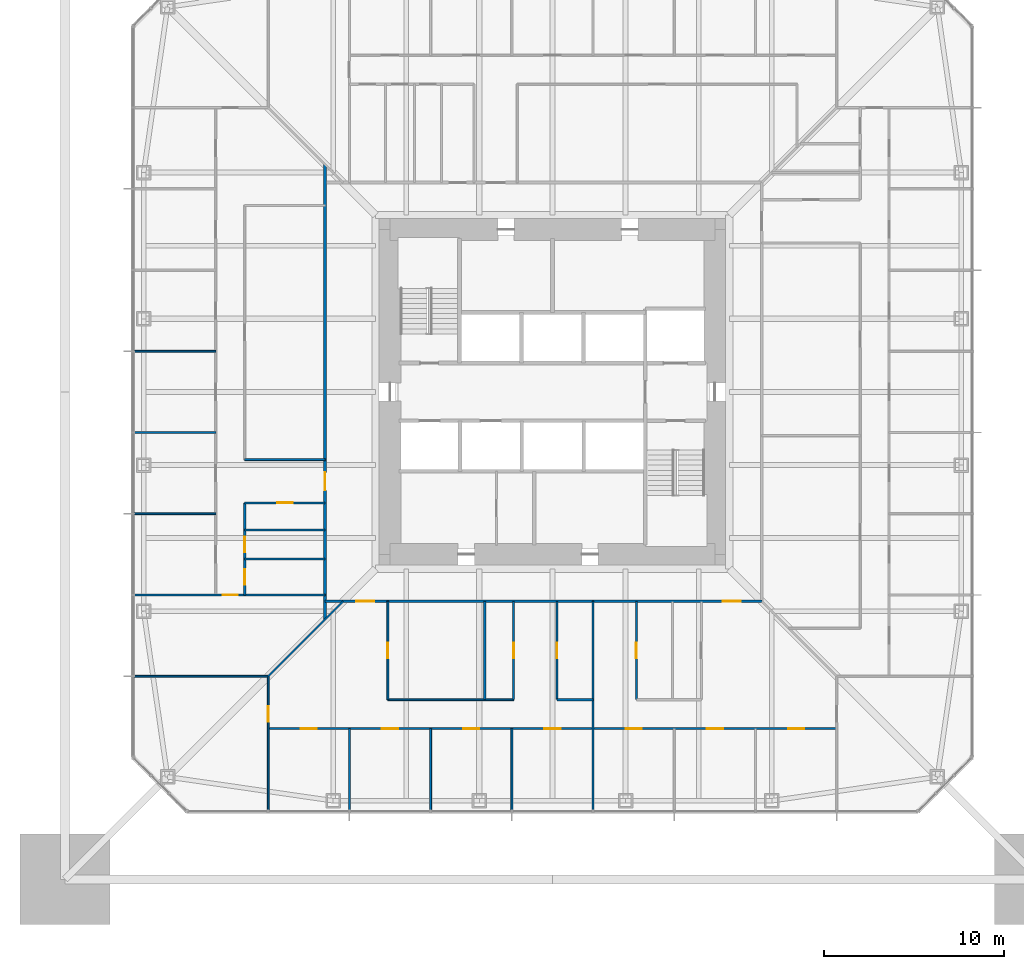
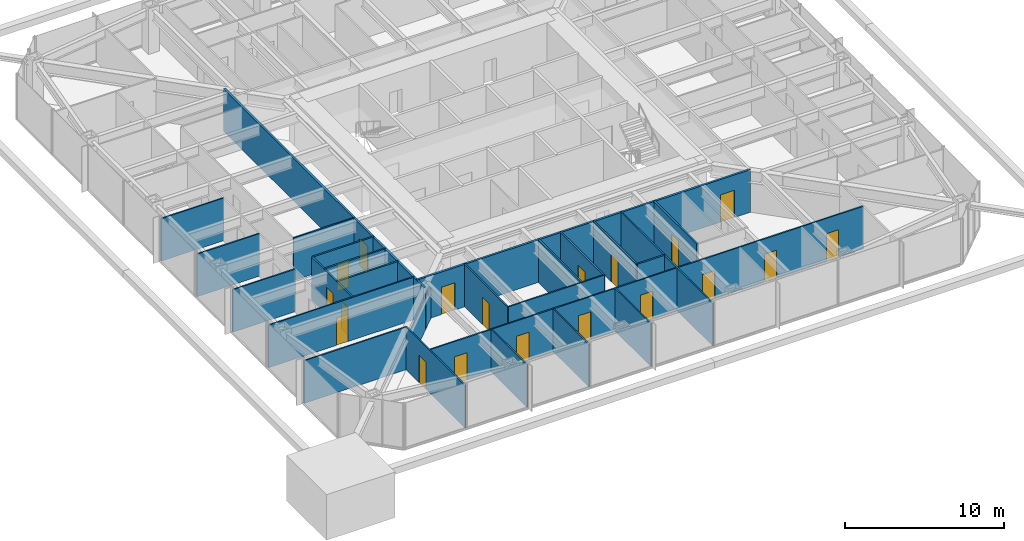
# One storey, part 15 of 27: 26 walls, 19 doors, 19 openings.
"""IFC4 building model written with IfcOpenShell, lengths in metres."""

from ifc_helpers import new_model, si_unit, direction, frame, frame_2d, origin, place, context, subcontext, project, spatial, rectangle, extrude, material, layer, layer_set, type_object, element, fill, save


model = new_model("IFC4")

# Units and contexts
model_context = context("Model", 3, precision=1e-05, world=origin(), true_north=direction((0.0, 1.0)))
body_context = subcontext(model_context, "Body", "Model", "MODEL_VIEW")
ifc_project = project(units=[si_unit("LENGTHUNIT", "METRE"), si_unit("AREAUNIT", "SQUARE_METRE"), si_unit("VOLUMEUNIT", "CUBIC_METRE"), si_unit("PLANEANGLEUNIT", "RADIAN"), si_unit("MASSUNIT", "GRAM", prefix="KILO")], contexts=[model_context])

# Site, building, storey
site_placement = place(None, origin())
site = spatial("IfcSite", under=ifc_project, at=site_placement, CompositionType="ELEMENT")
building_placement = place(site_placement, origin())
building = spatial("IfcBuilding", under=site, at=building_placement, Name="Iwan Alto Co-Living Towers", CompositionType="ELEMENT")
storey_placement = place(building_placement, frame((0.0, 0.0, 53.5)))
storey = spatial("IfcBuildingStorey", under=building, at=storey_placement, Name="L14", CompositionType="ELEMENT", Elevation=53.5)

# Wall, openings, doors
ifc_material_1 = material(Name="Gypsum board")
ifc_layer_1 = layer(ifc_material_1, 0.02490234375, Name="Board", Category="Finish")
ifc_material_2 = material(Name="Steel ASTM A1003 ST33H cold-formed studs", Category="steel")
ifc_layer_2 = layer(ifc_material_2, 0.10009765625, Name="Studs", Category="Framing")
ifc_layer_3 = layer(ifc_material_1, 0.02490234375, Name="Board", Category="Finish")
ifc_layer_set_1 = layer_set([ifc_layer_1, ifc_layer_2, ifc_layer_3], Name="CORRIDOR WALL 150")
wall_type_1 = type_object("IfcWallType", Name="CORRIDOR WALL 150", PredefinedType="PARTITIONING", material=ifc_layer_set_1)
wall_1_placement = place(storey_placement, frame((-12.60009765625, -11.60009765625, 0.0), z_axis=(0.0, 0.0, 1.0), x_axis=(1.0, 0.0, 0.0)))
wall_1 = element("IfcWall", 1, at=wall_1_placement, inside=storey, type_object=wall_type_1, Name="Partition L14", PredefinedType="PARTITIONING", context=body_context, shape_type="SweptSolid", body=[
    extrude(rectangle(XDim=24.2001953125, YDim=0.14990234375, at=frame_2d((12.10009765625, 0.0))), origin(), (0.0, 0.0, 1.0), 3.27001953125),
])
opening_1_placement = place(wall_1_placement, frame((1.739990234375, 0.0, 0.0)))
opening_1 = element("IfcOpeningElement", 2, at=opening_1_placement, cuts=wall_1, Name="Opening D3", PredefinedType="OPENING", context=body_context, shape_type="SweptSolid", body=[
    extrude(rectangle(XDim=1.0, YDim=2.10009765625, at=frame_2d((0.5, 1.050048828125))), frame((0.0, 0.0849609375, 0.0), z_axis=(0.0, -1.0, 0.0), x_axis=(1.0, 0.0, 0.0)), (0.0, 0.0, 1.0), 0.169921875),
])
opening_2_placement = place(wall_1_placement, frame((22.02490234375, 0.0, 0.0)))
opening_2 = element("IfcOpeningElement", 3, at=opening_2_placement, cuts=wall_1, Name="Opening D3", PredefinedType="OPENING", context=body_context, shape_type="SweptSolid", body=[
    extrude(rectangle(XDim=1.0, YDim=2.10009765625, at=frame_2d((0.5, 1.050048828125))), frame((0.0, 0.0849609375, 0.0), z_axis=(0.0, -1.0, 0.0), x_axis=(1.0, 0.0, 0.0)), (0.0, 0.0, 1.0), 0.169921875),
])
ifc_material_3 = material(Name="Steel frame with timber leaf", Category="steel")
door_type_1 = type_object("IfcDoorType", Name="FLAT ENTRANCE DOOR FD30S 1000X2100", OperationType="SINGLE_SWING_LEFT", PredefinedType="DOOR", material=ifc_material_3)
door_1_placement = place(opening_1_placement, frame((1.0, 0.0, 0.0), z_axis=(0.0, 0.0, 1.0), x_axis=(-1.0, 0.0, 0.0)))
door_1 = element("IfcDoor", 4, at=door_1_placement, inside=storey, type_object=door_type_1, Name="Cluster lounge door L14", OperationType="SINGLE_SWING_LEFT", OverallHeight=2.10009765625, OverallWidth=1.0, PredefinedType="DOOR", context=body_context, shape_type="SweptSolid", body=[
    extrude(rectangle(XDim=1.0, YDim=2.10009765625, at=frame_2d((0.5, 1.050048828125))), frame((0.0, 0.02490234375, 0.0), z_axis=(0.0, -1.0, 0.0), x_axis=(1.0, 0.0, 0.0)), (0.0, 0.0, 1.0), 0.050048828125),
])
fill(opening_1, door_1)
door_2_placement = place(opening_2_placement, frame((1.0, 0.0, 0.0), z_axis=(0.0, 0.0, 1.0), x_axis=(-1.0, 0.0, 0.0)))
door_2 = element("IfcDoor", 5, at=door_2_placement, inside=storey, type_object=door_type_1, Name="Cluster lounge door L14", OperationType="SINGLE_SWING_RIGHT", OverallHeight=2.10009765625, OverallWidth=1.0, PredefinedType="DOOR", context=body_context, shape_type="SweptSolid", body=[
    extrude(rectangle(XDim=1.0, YDim=2.10009765625, at=frame_2d((0.5, 1.050048828125))), frame((0.0, 0.02490234375, 0.0), z_axis=(0.0, -1.0, 0.0), x_axis=(1.0, 0.0, 0.0)), (0.0, 0.0, 1.0), 0.050048828125),
])
fill(opening_2, door_2)

# Wall, opening, door
wall_2_placement = place(storey_placement, frame((-12.60009765625, -12.60009765625, 0.0), z_axis=(0.0, 0.0, 1.0), x_axis=(0.0, 1.0, 0.0)))
wall_2 = element("IfcWall", 6, at=wall_2_placement, inside=storey, type_object=wall_type_1, Name="Partition L14", PredefinedType="PARTITIONING", context=body_context, shape_type="SweptSolid", body=[
    extrude(rectangle(XDim=25.2001953125, YDim=0.14990234375, at=frame_2d((12.60009765625, 0.0))), origin(), (0.0, 0.0, 1.0), 3.27001953125),
])
opening_3_placement = place(wall_2_placement, frame((7.14990234375, 0.0, 0.0)))
opening_3 = element("IfcOpeningElement", 7, at=opening_3_placement, cuts=wall_2, Name="Opening D3", PredefinedType="OPENING", context=body_context, shape_type="SweptSolid", body=[
    extrude(rectangle(XDim=1.0, YDim=2.10009765625, at=frame_2d((0.5, 1.050048828125))), frame((0.0, 0.0849609375, 0.0), z_axis=(0.0, -1.0, 0.0), x_axis=(1.0, 0.0, 0.0)), (0.0, 0.0, 1.0), 0.169921875),
])
door_3_placement = place(opening_3_placement, origin())
door_3 = element("IfcDoor", 8, at=door_3_placement, inside=storey, type_object=door_type_1, Name="Cluster lounge and shared kitchen door L14", OperationType="SINGLE_SWING_LEFT", OverallHeight=2.10009765625, OverallWidth=1.0, PredefinedType="DOOR", context=body_context, shape_type="SweptSolid", body=[
    extrude(rectangle(XDim=1.0, YDim=2.10009765625, at=frame_2d((0.5, 1.050048828125))), frame((0.0, 0.02490234375, 0.0), z_axis=(0.0, -1.0, 0.0), x_axis=(1.0, 0.0, 0.0)), (0.0, 0.0, 1.0), 0.050048828125),
])
fill(opening_3, door_3)

# Wall, openings, doors
ifc_layer_4 = layer(ifc_material_1, 0.012451171875, Name="Board", Category="Finish")
ifc_layer_5 = layer(ifc_material_2, 0.074951171875, Name="Studs", Category="Framing")
ifc_layer_6 = layer(ifc_material_1, 0.012451171875, Name="Board", Category="Finish")
ifc_layer_set_2 = layer_set([ifc_layer_4, ifc_layer_5, ifc_layer_6], Name="PARTITION 100")
wall_type_2 = type_object("IfcWallType", Name="PARTITION 100", PredefinedType="PARTITIONING", material=ifc_layer_set_2)
wall_3_placement = place(storey_placement, frame((-15.75, -18.64990234375, 0.0), z_axis=(0.0, 0.0, 1.0), x_axis=(1.0, 0.0, 0.0)))
wall_3 = element("IfcWall", 9, at=wall_3_placement, inside=storey, type_object=wall_type_2, Name="Partition L14", PredefinedType="PARTITIONING", context=body_context, shape_type="SweptSolid", body=[
    extrude(rectangle(XDim=31.5, YDim=0.10009765625, at=frame_2d((15.75, 0.0))), origin(), (0.0, 0.0, 1.0), 3.27001953125),
])
opening_4_placement = place(wall_3_placement, frame((1.800048828125, 0.0, 0.0)))
opening_4 = element("IfcOpeningElement", 10, at=opening_4_placement, cuts=wall_3, Name="Opening D1", PredefinedType="OPENING", context=body_context, shape_type="SweptSolid", body=[
    extrude(rectangle(XDim=0.89990234375, YDim=2.10009765625, at=frame_2d((0.449951171875, 1.050048828125))), frame((0.0, 0.06005859375, 0.0), z_axis=(0.0, -1.0, 0.0), x_axis=(1.0, 0.0, 0.0)), (0.0, 0.0, 1.0), 0.1201171875),
])
opening_5_placement = place(wall_3_placement, frame((6.300048828125, 0.0, 0.0)))
opening_5 = element("IfcOpeningElement", 11, at=opening_5_placement, cuts=wall_3, Name="Opening D1", PredefinedType="OPENING", context=body_context, shape_type="SweptSolid", body=[
    extrude(rectangle(XDim=0.89990234375, YDim=2.10009765625, at=frame_2d((0.449951171875, 1.050048828125))), frame((0.0, 0.06005859375, 0.0), z_axis=(0.0, -1.0, 0.0), x_axis=(1.0, 0.0, 0.0)), (0.0, 0.0, 1.0), 0.1201171875),
])
opening_6_placement = place(wall_3_placement, frame((10.800048828125, 0.0, 0.0)))
opening_6 = element("IfcOpeningElement", 12, at=opening_6_placement, cuts=wall_3, Name="Opening D1", PredefinedType="OPENING", context=body_context, shape_type="SweptSolid", body=[
    extrude(rectangle(XDim=0.89990234375, YDim=2.10009765625, at=frame_2d((0.449951171875, 1.050048828125))), frame((0.0, 0.06005859375, 0.0), z_axis=(0.0, -1.0, 0.0), x_axis=(1.0, 0.0, 0.0)), (0.0, 0.0, 1.0), 0.1201171875),
])
opening_7_placement = place(wall_3_placement, frame((15.300048828125, 0.0, 0.0)))
opening_7 = element("IfcOpeningElement", 13, at=opening_7_placement, cuts=wall_3, Name="Opening D1", PredefinedType="OPENING", context=body_context, shape_type="SweptSolid", body=[
    extrude(rectangle(XDim=0.89990234375, YDim=2.10009765625, at=frame_2d((0.449951171875, 1.050048828125))), frame((0.0, 0.06005859375, 0.0), z_axis=(0.0, -1.0, 0.0), x_axis=(1.0, 0.0, 0.0)), (0.0, 0.0, 1.0), 0.1201171875),
])
opening_8_placement = place(wall_3_placement, frame((19.800048828125, 0.0, 0.0)))
opening_8 = element("IfcOpeningElement", 14, at=opening_8_placement, cuts=wall_3, Name="Opening D1", PredefinedType="OPENING", context=body_context, shape_type="SweptSolid", body=[
    extrude(rectangle(XDim=0.89990234375, YDim=2.10009765625, at=frame_2d((0.449951171875, 1.050048828125))), frame((0.0, 0.06005859375, 0.0), z_axis=(0.0, -1.0, 0.0), x_axis=(1.0, 0.0, 0.0)), (0.0, 0.0, 1.0), 0.1201171875),
])
opening_9_placement = place(wall_3_placement, frame((24.300048828125, 0.0, 0.0)))
opening_9 = element("IfcOpeningElement", 15, at=opening_9_placement, cuts=wall_3, Name="Opening D1", PredefinedType="OPENING", context=body_context, shape_type="SweptSolid", body=[
    extrude(rectangle(XDim=0.89990234375, YDim=2.10009765625, at=frame_2d((0.449951171875, 1.050048828125))), frame((0.0, 0.06005859375, 0.0), z_axis=(0.0, -1.0, 0.0), x_axis=(1.0, 0.0, 0.0)), (0.0, 0.0, 1.0), 0.1201171875),
])
opening_10_placement = place(wall_3_placement, frame((28.800048828125, 0.0, 0.0)))
opening_10 = element("IfcOpeningElement", 16, at=opening_10_placement, cuts=wall_3, Name="Opening D1", PredefinedType="OPENING", context=body_context, shape_type="SweptSolid", body=[
    extrude(rectangle(XDim=0.89990234375, YDim=2.10009765625, at=frame_2d((0.449951171875, 1.050048828125))), frame((0.0, 0.06005859375, 0.0), z_axis=(0.0, -1.0, 0.0), x_axis=(1.0, 0.0, 0.0)), (0.0, 0.0, 1.0), 0.1201171875),
])
ifc_material_4 = material(Name="Timber leaf in steel frame", Category="steel")
door_type_2 = type_object("IfcDoorType", Name="BEDROOM DOOR 900X2100", OperationType="SINGLE_SWING_LEFT", PredefinedType="DOOR", material=ifc_material_4)
door_4_placement = place(opening_4_placement, origin())
door_4 = element("IfcDoor", 17, at=door_4_placement, inside=storey, type_object=door_type_2, Name="Study bedroom door L14", OperationType="SINGLE_SWING_LEFT", OverallHeight=2.10009765625, OverallWidth=0.89990234375, PredefinedType="DOOR", context=body_context, shape_type="SweptSolid", body=[
    extrude(rectangle(XDim=0.89990234375, YDim=2.10009765625, at=frame_2d((0.449951171875, 1.050048828125))), frame((0.0, 0.02490234375, 0.0), z_axis=(0.0, -1.0, 0.0), x_axis=(1.0, 0.0, 0.0)), (0.0, 0.0, 1.0), 0.050048828125),
])
fill(opening_4, door_4)
door_5_placement = place(opening_5_placement, origin())
door_5 = element("IfcDoor", 18, at=door_5_placement, inside=storey, type_object=door_type_2, Name="Study bedroom door L14", OperationType="SINGLE_SWING_LEFT", OverallHeight=2.10009765625, OverallWidth=0.89990234375, PredefinedType="DOOR", context=body_context, shape_type="SweptSolid", body=[
    extrude(rectangle(XDim=0.89990234375, YDim=2.10009765625, at=frame_2d((0.449951171875, 1.050048828125))), frame((0.0, 0.02490234375, 0.0), z_axis=(0.0, -1.0, 0.0), x_axis=(1.0, 0.0, 0.0)), (0.0, 0.0, 1.0), 0.050048828125),
])
fill(opening_5, door_5)
door_6_placement = place(opening_6_placement, origin())
door_6 = element("IfcDoor", 19, at=door_6_placement, inside=storey, type_object=door_type_2, Name="Study bedroom door L14", OperationType="SINGLE_SWING_RIGHT", OverallHeight=2.10009765625, OverallWidth=0.89990234375, PredefinedType="DOOR", context=body_context, shape_type="SweptSolid", body=[
    extrude(rectangle(XDim=0.89990234375, YDim=2.10009765625, at=frame_2d((0.449951171875, 1.050048828125))), frame((0.0, 0.02490234375, 0.0), z_axis=(0.0, -1.0, 0.0), x_axis=(1.0, 0.0, 0.0)), (0.0, 0.0, 1.0), 0.050048828125),
])
fill(opening_6, door_6)
door_7_placement = place(opening_7_placement, origin())
door_7 = element("IfcDoor", 20, at=door_7_placement, inside=storey, type_object=door_type_2, Name="Study bedroom door L14", OperationType="SINGLE_SWING_RIGHT", OverallHeight=2.10009765625, OverallWidth=0.89990234375, PredefinedType="DOOR", context=body_context, shape_type="SweptSolid", body=[
    extrude(rectangle(XDim=0.89990234375, YDim=2.10009765625, at=frame_2d((0.449951171875, 1.050048828125))), frame((0.0, 0.02490234375, 0.0), z_axis=(0.0, -1.0, 0.0), x_axis=(1.0, 0.0, 0.0)), (0.0, 0.0, 1.0), 0.050048828125),
])
fill(opening_7, door_7)
door_8_placement = place(opening_8_placement, origin())
door_8 = element("IfcDoor", 21, at=door_8_placement, inside=storey, type_object=door_type_2, Name="Study bedroom door L14", OperationType="SINGLE_SWING_LEFT", OverallHeight=2.10009765625, OverallWidth=0.89990234375, PredefinedType="DOOR", context=body_context, shape_type="SweptSolid", body=[
    extrude(rectangle(XDim=0.89990234375, YDim=2.10009765625, at=frame_2d((0.449951171875, 1.050048828125))), frame((0.0, 0.02490234375, 0.0), z_axis=(0.0, -1.0, 0.0), x_axis=(1.0, 0.0, 0.0)), (0.0, 0.0, 1.0), 0.050048828125),
])
fill(opening_8, door_8)
door_9_placement = place(opening_9_placement, origin())
door_9 = element("IfcDoor", 22, at=door_9_placement, inside=storey, type_object=door_type_2, Name="Study bedroom door L14", OperationType="SINGLE_SWING_LEFT", OverallHeight=2.10009765625, OverallWidth=0.89990234375, PredefinedType="DOOR", context=body_context, shape_type="SweptSolid", body=[
    extrude(rectangle(XDim=0.89990234375, YDim=2.10009765625, at=frame_2d((0.449951171875, 1.050048828125))), frame((0.0, 0.02490234375, 0.0), z_axis=(0.0, -1.0, 0.0), x_axis=(1.0, 0.0, 0.0)), (0.0, 0.0, 1.0), 0.050048828125),
])
fill(opening_9, door_9)
door_10_placement = place(opening_10_placement, origin())
door_10 = element("IfcDoor", 23, at=door_10_placement, inside=storey, type_object=door_type_2, Name="Study bedroom door L14", OperationType="SINGLE_SWING_RIGHT", OverallHeight=2.10009765625, OverallWidth=0.89990234375, PredefinedType="DOOR", context=body_context, shape_type="SweptSolid", body=[
    extrude(rectangle(XDim=0.89990234375, YDim=2.10009765625, at=frame_2d((0.449951171875, 1.050048828125))), frame((0.0, 0.02490234375, 0.0), z_axis=(0.0, -1.0, 0.0), x_axis=(1.0, 0.0, 0.0)), (0.0, 0.0, 1.0), 0.050048828125),
])
fill(opening_10, door_10)

# Walls
wall_4_placement = place(storey_placement, frame((-9.1201171875, -17.050048828125, 0.0), z_axis=(0.0, 0.0, 1.0), x_axis=(1.0, 0.0, 0.0)))
element("IfcWall", 24, at=wall_4_placement, inside=storey, type_object=wall_type_2, Name="Partition L14", PredefinedType="PARTITIONING", context=body_context, shape_type="SweptSolid", body=[
    extrude(rectangle(XDim=6.97021484375, YDim=0.10009765625, at=frame_2d((3.485107421875, 0.0))), origin(), (0.0, 0.0, 1.0), 3.27001953125),
])
wall_5_placement = place(storey_placement, frame((-23.18994140625, -15.75, 0.0), z_axis=(0.0, 0.0, 1.0), x_axis=(1.0, 0.0, 0.0)))
element("IfcWall", 25, at=wall_5_placement, inside=storey, type_object=wall_type_2, Name="Partition L14", PredefinedType="PARTITIONING", context=body_context, shape_type="SweptSolid", body=[
    extrude(rectangle(XDim=7.43994140625, YDim=0.10009765625, at=frame_2d((3.719970703125, 0.0))), origin(), (0.0, 0.0, 1.0), 3.27001953125),
])

# Wall, opening, door
wall_6_placement = place(storey_placement, frame((-23.18994140625, -11.25, 0.0), z_axis=(0.0, 0.0, 1.0), x_axis=(1.0, 0.0, 0.0)))
wall_6 = element("IfcWall", 26, at=wall_6_placement, inside=storey, type_object=wall_type_2, Name="Partition L14", PredefinedType="PARTITIONING", context=body_context, shape_type="SweptSolid", body=[
    extrude(rectangle(XDim=10.58984375, YDim=0.10009765625, at=frame_2d((5.294921875, 0.0))), origin(), (0.0, 0.0, 1.0), 3.27001953125),
])
opening_11_placement = place(wall_6_placement, frame((4.9150390625, 0.0, 0.0)))
opening_11 = element("IfcOpeningElement", 27, at=opening_11_placement, cuts=wall_6, Name="Opening D2", PredefinedType="OPENING", context=body_context, shape_type="SweptSolid", body=[
    extrude(rectangle(XDim=0.85009765625, YDim=2.10009765625, at=frame_2d((0.425048828125, 1.050048828125))), frame((0.0, 0.06005859375, 0.0), z_axis=(0.0, -1.0, 0.0), x_axis=(1.0, 0.0, 0.0)), (0.0, 0.0, 1.0), 0.1201171875),
])
ifc_material_5 = material(Name="Timber leaf in steel frame", Category="steel")
door_type_3 = type_object("IfcDoorType", Name="ROOM DOOR 850X2100", OperationType="SINGLE_SWING_LEFT", PredefinedType="DOOR", material=ifc_material_5)
door_11_placement = place(opening_11_placement, origin())
door_11 = element("IfcDoor", 28, at=door_11_placement, inside=storey, type_object=door_type_3, Name="Co-working room door L14", OperationType="SINGLE_SWING_LEFT", OverallHeight=2.10009765625, OverallWidth=0.85009765625, PredefinedType="DOOR", context=body_context, shape_type="SweptSolid", body=[
    extrude(rectangle(XDim=0.85009765625, YDim=2.10009765625, at=frame_2d((0.425048828125, 1.050048828125))), frame((0.0, 0.02490234375, 0.0), z_axis=(0.0, -1.0, 0.0), x_axis=(1.0, 0.0, 0.0)), (0.0, 0.0, 1.0), 0.050048828125),
])
fill(opening_11, door_11)

# Walls
wall_7_placement = place(storey_placement, frame((-23.18994140625, -6.75, 0.0), z_axis=(0.0, 0.0, 1.0), x_axis=(1.0, 0.0, 0.0)))
element("IfcWall", 29, at=wall_7_placement, inside=storey, type_object=wall_type_2, Name="Partition L14", PredefinedType="PARTITIONING", context=body_context, shape_type="SweptSolid", body=[
    extrude(rectangle(XDim=4.5400390625, YDim=0.10009765625, at=frame_2d((2.27001953125, 0.0))), origin(), (0.0, 0.0, 1.0), 3.27001953125),
])
wall_8_placement = place(storey_placement, frame((-17.050048828125, -3.75, 0.0), z_axis=(0.0, 0.0, 1.0), x_axis=(1.0, 0.0, 0.0)))
element("IfcWall", 30, at=wall_8_placement, inside=storey, type_object=wall_type_2, Name="Partition L14", PredefinedType="PARTITIONING", context=body_context, shape_type="SweptSolid", body=[
    extrude(rectangle(XDim=4.449951171875, YDim=0.10009765625, at=frame_2d((2.22509765625, 0.0))), origin(), (0.0, 0.0, 1.0), 3.27001953125),
])
for number, where, z_axis, x_axis, name in (
    (31, (-23.18994140625, -2.25, 0.0), (0.0, 0.0, 1.0), (1.0, 0.0, 0.0), "Partition L14"),
    (32, (-23.18994140625, 2.25, 0.0), (0.0, 0.0, 1.0), (1.0, 0.0, 0.0), "Partition L14"),
):
    element("IfcWall", number, at=place(storey_placement, frame(where, z_axis=z_axis, x_axis=x_axis)), inside=storey, type_object=wall_type_2, Name=name, PredefinedType="PARTITIONING", context=body_context, shape_type="SweptSolid", body=[
        extrude(rectangle(XDim=4.5400390625, YDim=0.10009765625, at=frame_2d((2.27001953125, 0.0))), origin(), (0.0, 0.0, 1.0), 3.27001953125),
    ])
wall_9_placement = place(storey_placement, frame((-15.75, -15.75, 0.0), z_axis=(0.0, 0.0, 1.0), x_axis=(0.707106781187, 0.707106781187, 0.0)))
element("IfcWall", 33, at=wall_9_placement, inside=storey, type_object=wall_type_2, Name="Partition L14", PredefinedType="PARTITIONING", context=body_context, shape_type="SweptSolid", body=[
    extrude(rectangle(XDim=5.868896484375, YDim=0.10009765625, at=frame_2d((2.9345703125, 0.0))), origin(), (0.0, 0.0, 1.0), 2.343017578125),
])
wall_10_placement = place(storey_placement, frame((2.25, -23.18994140625, 0.0), z_axis=(0.0, 0.0, 1.0), x_axis=(0.0, 1.0, 0.0)))
element("IfcWall", 34, at=wall_10_placement, inside=storey, type_object=wall_type_2, Name="Partition L14", PredefinedType="PARTITIONING", context=body_context, shape_type="SweptSolid", body=[
    extrude(rectangle(XDim=11.58984375, YDim=0.10009765625, at=frame_2d((5.794921875, 0.0))), origin(), (0.0, 0.0, 1.0), 3.27001953125),
])
for number, where, z_axis, x_axis, name in (
    (35, (-2.25, -23.18994140625, 0.0), (0.0, 0.0, 1.0), (0.0, 1.0, 0.0), "Partition L14"),
    (36, (-6.75, -23.18994140625, 0.0), (0.0, 0.0, 1.0), (0.0, 1.0, 0.0), "Partition L14"),
):
    element("IfcWall", number, at=place(storey_placement, frame(where, z_axis=z_axis, x_axis=x_axis)), inside=storey, type_object=wall_type_2, Name=name, PredefinedType="PARTITIONING", context=body_context, shape_type="SweptSolid", body=[
        extrude(rectangle(XDim=4.5400390625, YDim=0.10009765625, at=frame_2d((2.27001953125, 0.0))), origin(), (0.0, 0.0, 1.0), 3.27001953125),
    ])

# Wall, opening, door
wall_11_placement = place(storey_placement, frame((-9.1201171875, -17.050048828125, 0.0), z_axis=(0.0, 0.0, 1.0), x_axis=(0.0, 1.0, 0.0)))
wall_11 = element("IfcWall", 37, at=wall_11_placement, inside=storey, type_object=wall_type_2, Name="Partition L14", PredefinedType="PARTITIONING", context=body_context, shape_type="SweptSolid", body=[
    extrude(rectangle(XDim=5.449951171875, YDim=0.10009765625, at=frame_2d((2.72509765625, 0.0))), origin(), (0.0, 0.0, 1.0), 3.27001953125),
])
opening_12_placement = place(wall_11_placement, frame((2.300048828125, 0.0, 0.0)))
opening_12 = element("IfcOpeningElement", 38, at=opening_12_placement, cuts=wall_11, Name="Opening D2", PredefinedType="OPENING", context=body_context, shape_type="SweptSolid", body=[
    extrude(rectangle(XDim=0.85009765625, YDim=2.10009765625, at=frame_2d((0.425048828125, 1.050048828125))), frame((0.0, 0.06005859375, 0.0), z_axis=(0.0, -1.0, 0.0), x_axis=(1.0, 0.0, 0.0)), (0.0, 0.0, 1.0), 0.1201171875),
])
door_12_placement = place(opening_12_placement, origin())
door_12 = element("IfcDoor", 39, at=door_12_placement, inside=storey, type_object=door_type_3, Name="Study room door L14", OperationType="SINGLE_SWING_RIGHT", OverallHeight=2.10009765625, OverallWidth=0.85009765625, PredefinedType="DOOR", context=body_context, shape_type="SweptSolid", body=[
    extrude(rectangle(XDim=0.85009765625, YDim=2.10009765625, at=frame_2d((0.425048828125, 1.050048828125))), frame((0.0, 0.02490234375, 0.0), z_axis=(0.0, -1.0, 0.0), x_axis=(1.0, 0.0, 0.0)), (0.0, 0.0, 1.0), 0.050048828125),
])
fill(opening_12, door_12)

# Wall
wall_12_placement = place(storey_placement, frame((-11.25, -23.18994140625, 0.0), z_axis=(0.0, 0.0, 1.0), x_axis=(0.0, 1.0, 0.0)))
element("IfcWall", 40, at=wall_12_placement, inside=storey, type_object=wall_type_2, Name="Partition L14", PredefinedType="PARTITIONING", context=body_context, shape_type="SweptSolid", body=[
    extrude(rectangle(XDim=4.5400390625, YDim=0.10009765625, at=frame_2d((2.27001953125, 0.0))), origin(), (0.0, 0.0, 1.0), 3.27001953125),
])

# Wall, opening, door
wall_13_placement = place(storey_placement, frame((-15.75, -23.18994140625, 0.0), z_axis=(0.0, 0.0, 1.0), x_axis=(0.0, 1.0, 0.0)))
wall_13 = element("IfcWall", 41, at=wall_13_placement, inside=storey, type_object=wall_type_2, Name="Partition L14", PredefinedType="PARTITIONING", context=body_context, shape_type="SweptSolid", body=[
    extrude(rectangle(XDim=7.43994140625, YDim=0.10009765625, at=frame_2d((3.719970703125, 0.0))), origin(), (0.0, 0.0, 1.0), 3.27001953125),
])
opening_13_placement = place(wall_13_placement, frame((4.9150390625, 0.0, 0.0)))
opening_13 = element("IfcOpeningElement", 42, at=opening_13_placement, cuts=wall_13, Name="Opening D2", PredefinedType="OPENING", context=body_context, shape_type="SweptSolid", body=[
    extrude(rectangle(XDim=0.85009765625, YDim=2.10009765625, at=frame_2d((0.425048828125, 1.050048828125))), frame((0.0, 0.06005859375, 0.0), z_axis=(0.0, -1.0, 0.0), x_axis=(1.0, 0.0, 0.0)), (0.0, 0.0, 1.0), 0.1201171875),
])
door_13_placement = place(opening_13_placement, frame((0.85009765625, 0.0, 0.0), z_axis=(0.0, 0.0, 1.0), x_axis=(-1.0, 0.0, 0.0)))
door_13 = element("IfcDoor", 43, at=door_13_placement, inside=storey, type_object=door_type_3, Name="Shared kitchen and dining room door L14", OperationType="SINGLE_SWING_RIGHT", OverallHeight=2.10009765625, OverallWidth=0.85009765625, PredefinedType="DOOR", context=body_context, shape_type="SweptSolid", body=[
    extrude(rectangle(XDim=0.85009765625, YDim=2.10009765625, at=frame_2d((0.425048828125, 1.050048828125))), frame((0.0, 0.02490234375, 0.0), z_axis=(0.0, -1.0, 0.0), x_axis=(1.0, 0.0, 0.0)), (0.0, 0.0, 1.0), 0.050048828125),
])
fill(opening_13, door_13)

# Walls
ifc_material_6 = material(Name="Cement board")
ifc_layer_7 = layer(ifc_material_6, 0.012451171875, Name="Board", Category="Finish")
ifc_layer_8 = layer(ifc_material_2, 0.094970703125, Name="Studs", Category="Framing")
ifc_layer_9 = layer(ifc_material_6, 0.012451171875, Name="Board", Category="Finish")
ifc_layer_set_3 = layer_set([ifc_layer_7, ifc_layer_8, ifc_layer_9], Name="WET AREA PARTITION 120")
wall_type_3 = type_object("IfcWallType", Name="WET AREA PARTITION 120", PredefinedType="PARTITIONING", material=ifc_layer_set_3)
wall_14_placement = place(storey_placement, frame((0.25, -17.050048828125, 0.0), z_axis=(0.0, 0.0, 1.0), x_axis=(1.0, 0.0, 0.0)))
element("IfcWall", 44, at=wall_14_placement, inside=storey, type_object=wall_type_3, Name="Partition L14", PredefinedType="PARTITIONING", context=body_context, shape_type="SweptSolid", body=[
    extrude(rectangle(XDim=2.0, YDim=0.1201171875, at=frame_2d((1.0, 0.0))), origin(), (0.0, 0.0, 1.0), 3.27001953125),
])
for number, where, z_axis, x_axis, name in (
    (45, (-17.050048828125, -9.25, 0.0), (0.0, 0.0, 1.0), (1.0, 0.0, 0.0), "Partition L14"),
    (46, (-17.050048828125, -7.64990234375, 0.0), (0.0, 0.0, 1.0), (1.0, 0.0, 0.0), "Partition L14"),
):
    element("IfcWall", number, at=place(storey_placement, frame(where, z_axis=z_axis, x_axis=x_axis)), inside=storey, type_object=wall_type_3, Name=name, PredefinedType="PARTITIONING", context=body_context, shape_type="SweptSolid", body=[
        extrude(rectangle(XDim=4.449951171875, YDim=0.1201171875, at=frame_2d((2.22509765625, 0.0))), origin(), (0.0, 0.0, 1.0), 3.27001953125),
    ])

# Wall, opening, door
wall_15_placement = place(storey_placement, frame((-17.050048828125, -6.14990234375, 0.0), z_axis=(0.0, 0.0, 1.0), x_axis=(1.0, 0.0, 0.0)))
wall_15 = element("IfcWall", 47, at=wall_15_placement, inside=storey, type_object=wall_type_3, Name="Partition L14", PredefinedType="PARTITIONING", context=body_context, shape_type="SweptSolid", body=[
    extrude(rectangle(XDim=4.449951171875, YDim=0.1201171875, at=frame_2d((2.22509765625, 0.0))), origin(), (0.0, 0.0, 1.0), 3.27001953125),
])
opening_14_placement = place(wall_15_placement, frame((1.800048828125, 0.0, 0.0)))
opening_14 = element("IfcOpeningElement", 48, at=opening_14_placement, cuts=wall_15, Name="Opening D2", PredefinedType="OPENING", context=body_context, shape_type="SweptSolid", body=[
    extrude(rectangle(XDim=0.85009765625, YDim=2.10009765625, at=frame_2d((0.425048828125, 1.050048828125))), frame((0.0, 0.070068359375, 0.0), z_axis=(0.0, -1.0, 0.0), x_axis=(1.0, 0.0, 0.0)), (0.0, 0.0, 1.0), 0.14013671875),
])
door_14_placement = place(opening_14_placement, origin())
door_14 = element("IfcDoor", 49, at=door_14_placement, inside=storey, type_object=door_type_3, Name="Bathroom door L14", OperationType="SINGLE_SWING_RIGHT", OverallHeight=2.10009765625, OverallWidth=0.85009765625, PredefinedType="DOOR", context=body_context, shape_type="SweptSolid", body=[
    extrude(rectangle(XDim=0.85009765625, YDim=2.10009765625, at=frame_2d((0.425048828125, 1.050048828125))), frame((0.0, 0.02490234375, 0.0), z_axis=(0.0, -1.0, 0.0), x_axis=(1.0, 0.0, 0.0)), (0.0, 0.0, 1.0), 0.050048828125),
])
fill(opening_14, door_14)

wall_16_placement = place(storey_placement, frame((4.64990234375, -17.050048828125, 0.0), z_axis=(0.0, 0.0, 1.0), x_axis=(0.0, 1.0, 0.0)))
wall_16 = element("IfcWall", 50, at=wall_16_placement, inside=storey, type_object=wall_type_3, Name="Partition L14", PredefinedType="PARTITIONING", context=body_context, shape_type="SweptSolid", body=[
    extrude(rectangle(XDim=5.449951171875, YDim=0.1201171875, at=frame_2d((2.72509765625, 0.0))), origin(), (0.0, 0.0, 1.0), 3.27001953125),
])
opening_15_placement = place(wall_16_placement, frame((2.300048828125, 0.0, 0.0)))
opening_15 = element("IfcOpeningElement", 51, at=opening_15_placement, cuts=wall_16, Name="Opening D2", PredefinedType="OPENING", context=body_context, shape_type="SweptSolid", body=[
    extrude(rectangle(XDim=0.85009765625, YDim=2.10009765625, at=frame_2d((0.425048828125, 1.050048828125))), frame((0.0, 0.070068359375, 0.0), z_axis=(0.0, -1.0, 0.0), x_axis=(1.0, 0.0, 0.0)), (0.0, 0.0, 1.0), 0.14013671875),
])
door_15_placement = place(opening_15_placement, origin())
door_15 = element("IfcDoor", 52, at=door_15_placement, inside=storey, type_object=door_type_3, Name="Laundry door L14", OperationType="SINGLE_SWING_RIGHT", OverallHeight=2.10009765625, OverallWidth=0.85009765625, PredefinedType="DOOR", context=body_context, shape_type="SweptSolid", body=[
    extrude(rectangle(XDim=0.85009765625, YDim=2.10009765625, at=frame_2d((0.425048828125, 1.050048828125))), frame((0.0, 0.02490234375, 0.0), z_axis=(0.0, -1.0, 0.0), x_axis=(1.0, 0.0, 0.0)), (0.0, 0.0, 1.0), 0.050048828125),
])
fill(opening_15, door_15)

wall_17_placement = place(storey_placement, frame((0.25, -17.050048828125, 0.0), z_axis=(0.0, 0.0, 1.0), x_axis=(0.0, 1.0, 0.0)))
wall_17 = element("IfcWall", 53, at=wall_17_placement, inside=storey, type_object=wall_type_3, Name="Partition L14", PredefinedType="PARTITIONING", context=body_context, shape_type="SweptSolid", body=[
    extrude(rectangle(XDim=5.449951171875, YDim=0.1201171875, at=frame_2d((2.72509765625, 0.0))), origin(), (0.0, 0.0, 1.0), 3.27001953125),
])
opening_16_placement = place(wall_17_placement, frame((2.300048828125, 0.0, 0.0)))
opening_16 = element("IfcOpeningElement", 54, at=opening_16_placement, cuts=wall_17, Name="Opening D2", PredefinedType="OPENING", context=body_context, shape_type="SweptSolid", body=[
    extrude(rectangle(XDim=0.85009765625, YDim=2.10009765625, at=frame_2d((0.425048828125, 1.050048828125))), frame((0.0, 0.070068359375, 0.0), z_axis=(0.0, -1.0, 0.0), x_axis=(1.0, 0.0, 0.0)), (0.0, 0.0, 1.0), 0.14013671875),
])
door_16_placement = place(opening_16_placement, origin())
door_16 = element("IfcDoor", 55, at=door_16_placement, inside=storey, type_object=door_type_3, Name="Laundry door L14", OperationType="SINGLE_SWING_RIGHT", OverallHeight=2.10009765625, OverallWidth=0.85009765625, PredefinedType="DOOR", context=body_context, shape_type="SweptSolid", body=[
    extrude(rectangle(XDim=0.85009765625, YDim=2.10009765625, at=frame_2d((0.425048828125, 1.050048828125))), frame((0.0, 0.02490234375, 0.0), z_axis=(0.0, -1.0, 0.0), x_axis=(1.0, 0.0, 0.0)), (0.0, 0.0, 1.0), 0.050048828125),
])
fill(opening_16, door_16)

wall_18_placement = place(storey_placement, frame((-2.14990234375, -17.050048828125, 0.0), z_axis=(0.0, 0.0, 1.0), x_axis=(0.0, 1.0, 0.0)))
wall_18 = element("IfcWall", 56, at=wall_18_placement, inside=storey, type_object=wall_type_3, Name="Partition L14", PredefinedType="PARTITIONING", context=body_context, shape_type="SweptSolid", body=[
    extrude(rectangle(XDim=5.449951171875, YDim=0.1201171875, at=frame_2d((2.72509765625, 0.0))), origin(), (0.0, 0.0, 1.0), 3.27001953125),
])
opening_17_placement = place(wall_18_placement, frame((2.300048828125, 0.0, 0.0)))
opening_17 = element("IfcOpeningElement", 57, at=opening_17_placement, cuts=wall_18, Name="Opening D2", PredefinedType="OPENING", context=body_context, shape_type="SweptSolid", body=[
    extrude(rectangle(XDim=0.85009765625, YDim=2.10009765625, at=frame_2d((0.425048828125, 1.050048828125))), frame((0.0, 0.070068359375, 0.0), z_axis=(0.0, -1.0, 0.0), x_axis=(1.0, 0.0, 0.0)), (0.0, 0.0, 1.0), 0.14013671875),
])
door_17_placement = place(opening_17_placement, frame((0.85009765625, 0.0, 0.0), z_axis=(0.0, 0.0, 1.0), x_axis=(-1.0, 0.0, 0.0)))
door_17 = element("IfcDoor", 58, at=door_17_placement, inside=storey, type_object=door_type_3, Name="Accessible bathroom door L14", OperationType="SINGLE_SWING_LEFT", OverallHeight=2.10009765625, OverallWidth=0.85009765625, PredefinedType="DOOR", context=body_context, shape_type="SweptSolid", body=[
    extrude(rectangle(XDim=0.85009765625, YDim=2.10009765625, at=frame_2d((0.425048828125, 1.050048828125))), frame((0.0, 0.02490234375, 0.0), z_axis=(0.0, -1.0, 0.0), x_axis=(1.0, 0.0, 0.0)), (0.0, 0.0, 1.0), 0.050048828125),
])
fill(opening_17, door_17)

# Wall
wall_19_placement = place(storey_placement, frame((-3.75, -17.050048828125, 0.0), z_axis=(0.0, 0.0, 1.0), x_axis=(0.0, 1.0, 0.0)))
element("IfcWall", 59, at=wall_19_placement, inside=storey, type_object=wall_type_3, Name="Partition L14", PredefinedType="PARTITIONING", context=body_context, shape_type="SweptSolid", body=[
    extrude(rectangle(XDim=5.449951171875, YDim=0.1201171875, at=frame_2d((2.72509765625, 0.0))), origin(), (0.0, 0.0, 1.0), 3.27001953125),
])

# Wall, openings, doors
wall_20_placement = place(storey_placement, frame((-17.050048828125, -11.25, 0.0), z_axis=(0.0, 0.0, 1.0), x_axis=(0.0, 1.0, 0.0)))
wall_20 = element("IfcWall", 60, at=wall_20_placement, inside=storey, type_object=wall_type_3, Name="Partition L14", PredefinedType="PARTITIONING", context=body_context, shape_type="SweptSolid", body=[
    extrude(rectangle(XDim=5.10009765625, YDim=0.1201171875, at=frame_2d((2.550048828125, 0.0))), origin(), (0.0, 0.0, 1.0), 3.27001953125),
])
opening_18_placement = place(wall_20_placement, frame((2.375, 0.0, 0.0)))
opening_18 = element("IfcOpeningElement", 61, at=opening_18_placement, cuts=wall_20, Name="Opening D2", PredefinedType="OPENING", context=body_context, shape_type="SweptSolid", body=[
    extrude(rectangle(XDim=0.85009765625, YDim=2.10009765625, at=frame_2d((0.425048828125, 1.050048828125))), frame((0.0, 0.070068359375, 0.0), z_axis=(0.0, -1.0, 0.0), x_axis=(1.0, 0.0, 0.0)), (0.0, 0.0, 1.0), 0.14013671875),
])
opening_19_placement = place(wall_20_placement, frame((0.574951171875, 0.0, 0.0)))
opening_19 = element("IfcOpeningElement", 62, at=opening_19_placement, cuts=wall_20, Name="Opening D2", PredefinedType="OPENING", context=body_context, shape_type="SweptSolid", body=[
    extrude(rectangle(XDim=0.85009765625, YDim=2.10009765625, at=frame_2d((0.425048828125, 1.050048828125))), frame((0.0, 0.070068359375, 0.0), z_axis=(0.0, -1.0, 0.0), x_axis=(1.0, 0.0, 0.0)), (0.0, 0.0, 1.0), 0.14013671875),
])
door_18_placement = place(opening_18_placement, origin())
door_18 = element("IfcDoor", 63, at=door_18_placement, inside=storey, type_object=door_type_3, Name="Accessible bathroom door L14", OperationType="SINGLE_SWING_LEFT", OverallHeight=2.10009765625, OverallWidth=0.85009765625, PredefinedType="DOOR", context=body_context, shape_type="SweptSolid", body=[
    extrude(rectangle(XDim=0.85009765625, YDim=2.10009765625, at=frame_2d((0.425048828125, 1.050048828125))), frame((0.0, 0.02490234375, 0.0), z_axis=(0.0, -1.0, 0.0), x_axis=(1.0, 0.0, 0.0)), (0.0, 0.0, 1.0), 0.050048828125),
])
fill(opening_18, door_18)
door_19_placement = place(opening_19_placement, origin())
door_19 = element("IfcDoor", 64, at=door_19_placement, inside=storey, type_object=door_type_3, Name="Laundry door L14", OperationType="SINGLE_SWING_LEFT", OverallHeight=2.10009765625, OverallWidth=0.85009765625, PredefinedType="DOOR", context=body_context, shape_type="SweptSolid", body=[
    extrude(rectangle(XDim=0.85009765625, YDim=2.10009765625, at=frame_2d((0.425048828125, 1.050048828125))), frame((0.0, 0.02490234375, 0.0), z_axis=(0.0, -1.0, 0.0), x_axis=(1.0, 0.0, 0.0)), (0.0, 0.0, 1.0), 0.050048828125),
])
fill(opening_19, door_19)

save(model, "model.ifc")
